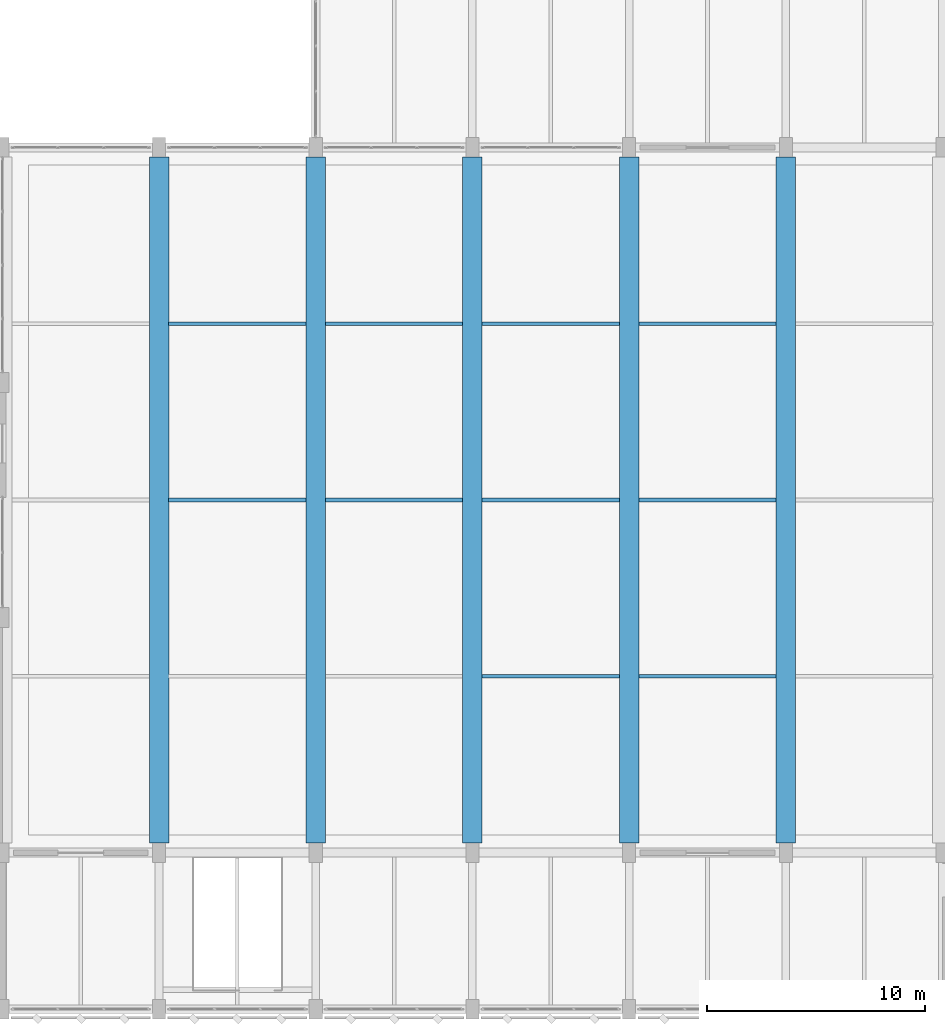
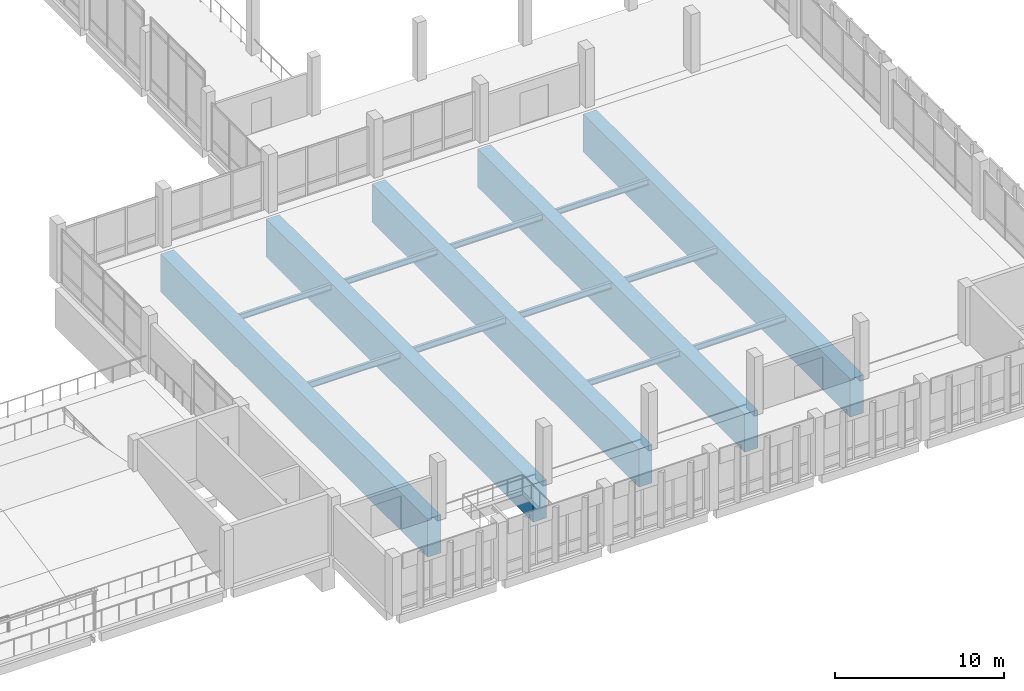
# One storey, part 77 of 158: 15 beams.
"""IFC4 building model written with IfcOpenShell, lengths in metres."""

from ifc_helpers import new_model, si_unit, direction, frame, origin, origin_2d, place, context, subcontext, project, spatial, rectangle, i_section, extrude, material, material_profile, profile_set, type_object, element, save


model = new_model("IFC4")

# Units and contexts
model_context = context("Model", 3, precision=1e-05, world=origin(), true_north=direction((0.0, 1.0)))
body_context = subcontext(model_context, "Body", "Model", "MODEL_VIEW")
ifc_project = project(units=[si_unit("LENGTHUNIT", "METRE"), si_unit("AREAUNIT", "SQUARE_METRE"), si_unit("VOLUMEUNIT", "CUBIC_METRE"), si_unit("PLANEANGLEUNIT", "RADIAN"), si_unit("MASSUNIT", "GRAM", prefix="KILO")], contexts=[model_context])

# Site, building, storey
site_placement = place(None, origin())
site = spatial("IfcSite", under=ifc_project, at=site_placement, CompositionType="ELEMENT")
building_placement = place(site_placement, origin())
building = spatial("IfcBuilding", under=site, at=building_placement, Name="Lusvemor Sports Hall", CompositionType="ELEMENT")
storey_placement = place(building_placement, frame((0.0, 0.0, 10.800048828125)))
storey = spatial("IfcBuildingStorey", under=building, at=storey_placement, Name="L02", CompositionType="ELEMENT", Elevation=10.800048828125)

# Beams
ifc_material_1 = material(Name="Steel S355", Category="steel")
ifc_material_profile_1 = material_profile(ifc_material_1, i_section(OverallWidth=0.180908203125, OverallDepth=0.4169921875, WebThickness=0.010986328125, FlangeThickness=0.018310546875, FilletRadius=0.01611328125, at=origin_2d()), Name="W410x85.0")
ifc_profile_set_1 = profile_set([ifc_material_profile_1], Name="Steel S355")
beam_type_1 = type_object("IfcBeamType", Name="BEAM_ST_410H", PredefinedType="BEAM", material=ifc_profile_set_1)
beam_1_placement = place(storey_placement, frame((126.445068359375, 31.5, -0.5625), z_axis=(1.0, 0.0, 0.0), x_axis=(0.0, 1.0, 0.0)))
element("IfcBeam", 1, at=beam_1_placement, inside=storey, type_object=beam_type_1, Name="Transfer Deck Beam 14-15 Row 3", PredefinedType="BEAM", context=body_context, shape_type="SweptSolid", body=[
    extrude(i_section(OverallWidth=0.180908203125, OverallDepth=0.4169921875, WebThickness=0.010986328125, FlangeThickness=0.018310546875, FilletRadius=0.01611328125, at=origin_2d()), origin(), (0.0, 0.0, 1.0), 6.309814453125),
])
for number, where, z_axis, x_axis, name in (
    (2, (133.64501953125, 31.5, -0.5625), (1.0, 0.0, 0.0), (0.0, 1.0, 0.0), "Transfer Deck Beam 15-16 Row 3"),
    (3, (140.844970703125, 15.300048828125, -0.5625), (1.0, 0.0, 0.0), (0.0, 1.0, 0.0), "Transfer Deck Beam 16-17 Row 1"),
    (4, (140.844970703125, 31.5, -0.5625), (1.0, 0.0, 0.0), (0.0, 1.0, 0.0), "Transfer Deck Beam 16-17 Row 3"),
    (5, (148.044921875, 15.300048828125, -0.5625), (1.0, 0.0, 0.0), (0.0, 1.0, 0.0), "Transfer Deck Beam 17-18 Row 1"),
    (6, (148.044921875, 31.5, -0.5625), (1.0, 0.0, 0.0), (0.0, 1.0, 0.0), "Transfer Deck Beam 17-18 Row 3"),
):
    element("IfcBeam", number, at=place(storey_placement, frame(where, z_axis=z_axis, x_axis=x_axis)), inside=storey, type_object=beam_type_1, Name=name, PredefinedType="BEAM", context=body_context, shape_type="SweptSolid", body=[
        extrude(i_section(OverallWidth=0.180908203125, OverallDepth=0.4169921875, WebThickness=0.010986328125, FlangeThickness=0.018310546875, FilletRadius=0.01611328125, at=origin_2d()), origin(), (0.0, 0.0, 1.0), 6.31005859375),
    ])
ifc_material_2 = material(Name="Steel S355", Category="steel")
ifc_material_profile_2 = material_profile(ifc_material_2, i_section(OverallWidth=0.18994140625, OverallDepth=0.45703125, WebThickness=0.009033203125, FlangeThickness=0.014404296875, FilletRadius=0.01806640625, at=origin_2d()), Name="W460x74.0")
ifc_profile_set_2 = profile_set([ifc_material_profile_2], Name="Steel S355")
beam_type_2 = type_object("IfcBeamType", Name="GIRD_ST_460", PredefinedType="T_BEAM", material=ifc_profile_set_2)
beam_2_placement = place(storey_placement, frame((126.445068359375, 23.39990234375, -0.58251953125), z_axis=(1.0, 0.0, 0.0), x_axis=(0.0, 1.0, 0.0)))
element("IfcBeam", 7, at=beam_2_placement, inside=storey, type_object=beam_type_2, Name="Transfer Deck Beam 14-15 Row 2", PredefinedType="T_BEAM", context=body_context, shape_type="SweptSolid", body=[
    extrude(i_section(OverallWidth=0.18994140625, OverallDepth=0.45703125, WebThickness=0.009033203125, FlangeThickness=0.014404296875, FilletRadius=0.01806640625, at=origin_2d()), origin(), (0.0, 0.0, 1.0), 6.309814453125),
])
for number, where, z_axis, x_axis, name in (
    (8, (133.64501953125, 23.39990234375, -0.58251953125), (1.0, 0.0, 0.0), (0.0, 1.0, 0.0), "Transfer Deck Beam 15-16 Row 2"),
    (9, (140.844970703125, 23.39990234375, -0.58251953125), (1.0, 0.0, 0.0), (0.0, 1.0, 0.0), "Transfer Deck Beam 16-17 Row 2"),
    (10, (148.044921875, 23.39990234375, -0.58251953125), (1.0, 0.0, 0.0), (0.0, 1.0, 0.0), "Transfer Deck Beam 17-18 Row 2"),
):
    element("IfcBeam", number, at=place(storey_placement, frame(where, z_axis=z_axis, x_axis=x_axis)), inside=storey, type_object=beam_type_2, Name=name, PredefinedType="T_BEAM", context=body_context, shape_type="SweptSolid", body=[
        extrude(i_section(OverallWidth=0.18994140625, OverallDepth=0.45703125, WebThickness=0.009033203125, FlangeThickness=0.014404296875, FilletRadius=0.01806640625, at=origin_2d()), origin(), (0.0, 0.0, 1.0), 6.31005859375),
    ])
ifc_material_3 = material(Name="Post-tensioned concrete C50/60", Category="concrete")
ifc_material_profile_3 = material_profile(ifc_material_3, rectangle(XDim=0.89990234375, YDim=2.75, at=origin_2d()), Name="PT900x2750")
ifc_profile_set_3 = profile_set([ifc_material_profile_3], Name="Post-tensioned concrete C50/60")
beam_type_3 = type_object("IfcBeamType", Name="PTG_COURT_2750", PredefinedType="T_BEAM", material=ifc_profile_set_3)
for number, where, z_axis, x_axis, name in (
    (11, (126.0, 7.64501953125, -1.72509765625), (0.0, 1.0, 0.0), (-1.0, 0.0, 0.0), "Post-Tensioned Transfer Girder 14 (L02)"),
    (12, (133.199951171875, 7.64501953125, -1.72509765625), (0.0, 1.0, 0.0), (-1.0, 0.0, 0.0), "Post-Tensioned Transfer Girder 15 (L02)"),
    (13, (140.39990234375, 7.64501953125, -1.72509765625), (0.0, 1.0, 0.0), (-1.0, 0.0, 0.0), "Post-Tensioned Transfer Girder 16 (L02)"),
    (14, (147.60009765625, 7.64501953125, -1.72509765625), (0.0, 1.0, 0.0), (-1.0, 0.0, 0.0), "Post-Tensioned Transfer Girder 17 (L02)"),
    (15, (154.800048828125, 7.64501953125, -1.72509765625), (0.0, 1.0, 0.0), (-1.0, 0.0, 0.0), "Post-Tensioned Transfer Girder 18 (L02)"),
):
    element("IfcBeam", number, at=place(storey_placement, frame(where, z_axis=z_axis, x_axis=x_axis)), inside=storey, type_object=beam_type_3, Name=name, PredefinedType="T_BEAM", context=body_context, shape_type="SweptSolid", body=[
        extrude(rectangle(XDim=0.89990234375, YDim=2.75, at=origin_2d()), origin(), (0.0, 0.0, 1.0), 31.510009765625),
    ])

save(model, "model.ifc")
